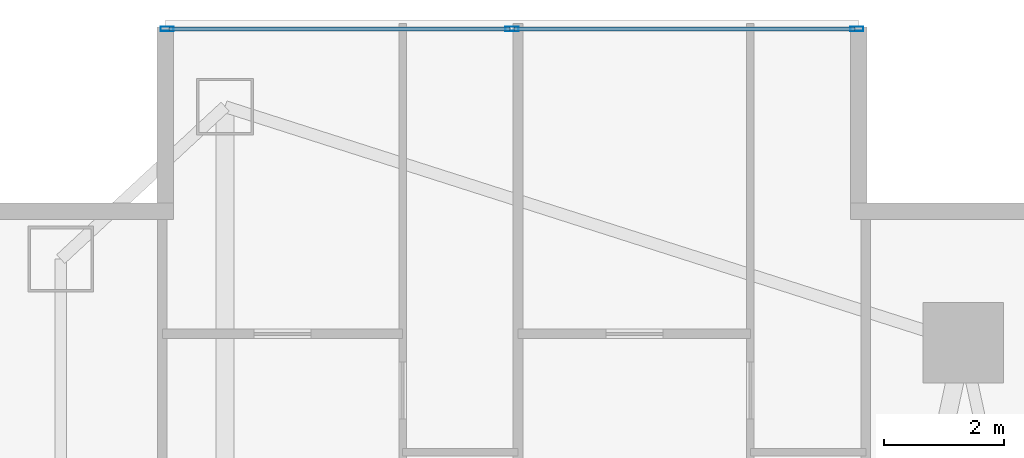
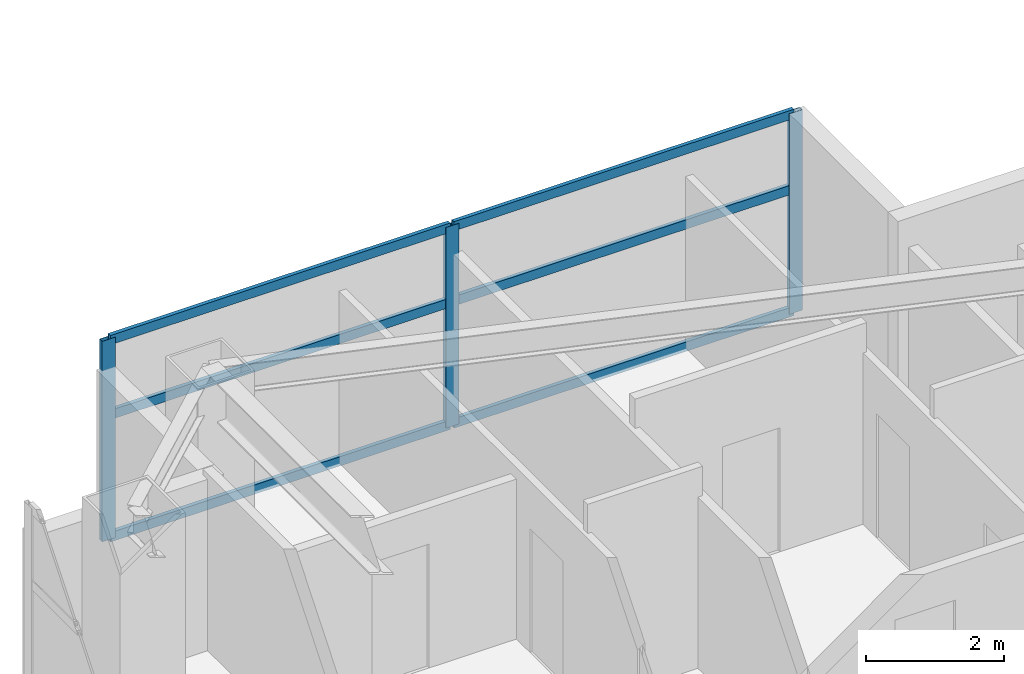
# One storey, part 19 of 29: 9 members, 1 element without a shape of its own.
"""IFC4 building model written with IfcOpenShell, lengths in metres."""

from ifc_helpers import new_model, si_unit, direction, frame, origin, origin_2d, place, context, subcontext, project, spatial, hollow_rectangle, extrude, material, layer, layer_set, material_profile, profile_set, type_object, element, aggregate, save


model = new_model("IFC4")

# Units and contexts
model_context = context("Model", 3, precision=1e-05, world=origin(), true_north=direction((0.0, 1.0)))
body_context = subcontext(model_context, "Body", "Model", "MODEL_VIEW")
ifc_project = project(units=[si_unit("LENGTHUNIT", "METRE"), si_unit("AREAUNIT", "SQUARE_METRE"), si_unit("VOLUMEUNIT", "CUBIC_METRE"), si_unit("PLANEANGLEUNIT", "RADIAN"), si_unit("MASSUNIT", "GRAM", prefix="KILO")], contexts=[model_context])

# Site, building, storey
site_placement = place(None, origin())
site = spatial("IfcSite", under=ifc_project, at=site_placement, CompositionType="ELEMENT")
building_placement = place(site_placement, origin())
building = spatial("IfcBuilding", under=site, at=building_placement, Name="Calvorn Quay Hotel", CompositionType="ELEMENT")
storey_placement = place(building_placement, frame((0.0, 0.0, 58.39990234375)))
storey = spatial("IfcBuildingStorey", under=building, at=storey_placement, Name="L13", CompositionType="ELEMENT", Elevation=58.39990234375)

# Curtain wall, members
ifc_material_1 = material(Name="Pale Anodised Aluminium and Low-E Glass", Category="aluminium")
ifc_layer = layer(ifc_material_1, 0.219970703125)
ifc_layer_set = layer_set([ifc_layer], Name="CW-SYS-Z1")
curtain_wall_type = type_object("IfcCurtainWallType", Name="CW-SYS-Z1", PredefinedType="NOTDEFINED", material=ifc_layer_set)
curtain_wall_placement = place(storey_placement, origin())
curtain_wall = element("IfcCurtainWall", 1, at=curtain_wall_placement, inside=storey, type_object=curtain_wall_type, Name="Inner Court Curtain Wall L13-N1", PredefinedType="NOTDEFINED")
ifc_material_2 = material(Name="Pale Anodised Aluminium 6063-T6", Category="aluminium")
ifc_material_profile_1 = material_profile(ifc_material_2, hollow_rectangle(XDim=0.074951171875, YDim=0.219970703125, WallThickness=0.00439453125, at=origin_2d()), Name="ALU-M220x75x4.5")
ifc_profile_set_1 = profile_set([ifc_material_profile_1], Name="Pale Anodised Aluminium 6063-T6")
member_type_1 = type_object("IfcMemberType", Name="CW-SYS-Z1-MUL", PredefinedType="MULLION", material=ifc_profile_set_1)
member_1_placement = place(storey_placement, frame((14.77001953125, 50.85009765625, 0.0), z_axis=(0.0, 0.0, 1.0), x_axis=(0.0, -1.0, 0.0)))
member_1 = element("IfcMember", 2, at=member_1_placement, type_object=member_type_1, Name="CW-L13-N1 mullion 1", PredefinedType="MULLION", context=body_context, shape_type="SweptSolid", body=[
    extrude(hollow_rectangle(XDim=0.074951171875, YDim=0.219970703125, WallThickness=0.00439453125, at=origin_2d()), origin(), (0.0, 0.0, 1.0), 3.56005859375),
])
member_2_placement = place(storey_placement, frame((9.0, 50.85009765625, 0.0), z_axis=(0.0, 0.0, 1.0), x_axis=(0.0, -1.0, 0.0)))
member_2 = element("IfcMember", 3, at=member_2_placement, type_object=member_type_1, Name="CW-L13-N1 mullion 2", PredefinedType="MULLION", context=body_context, shape_type="SweptSolid", body=[
    extrude(hollow_rectangle(XDim=0.074951171875, YDim=0.219970703125, WallThickness=0.00439453125, at=origin_2d()), origin(), (0.0, 0.0, 1.0), 3.56005859375),
])
member_3_placement = place(storey_placement, frame((3.22998046875, 50.85009765625, 0.0), z_axis=(0.0, 0.0, 1.0), x_axis=(0.0, -1.0, 0.0)))
member_3 = element("IfcMember", 4, at=member_3_placement, type_object=member_type_1, Name="CW-L13-N1 mullion 3", PredefinedType="MULLION", context=body_context, shape_type="SweptSolid", body=[
    extrude(hollow_rectangle(XDim=0.074951171875, YDim=0.219970703125, WallThickness=0.00439453125, at=origin_2d()), origin(), (0.0, 0.0, 1.0), 3.56005859375),
])
ifc_material_3 = material(Name="Pale Anodised Aluminium 6063-T6", Category="aluminium")
ifc_material_profile_2 = material_profile(ifc_material_3, hollow_rectangle(XDim=0.06494140625, YDim=0.1650390625, WallThickness=0.00341796875, at=origin_2d()), Name="ALU-T165x65x3.5")
ifc_profile_set_2 = profile_set([ifc_material_profile_2], Name="Pale Anodised Aluminium 6063-T6")
member_type_2 = type_object("IfcMemberType", Name="CW-SYS-Z1-TRN", PredefinedType="USERDEFINED", material=ifc_profile_set_2)
member_4_placement = place(storey_placement, frame((14.739990234375, 50.85009765625, 0.030029296875), z_axis=(-1.0, 0.0, 0.0), x_axis=(0.0, -1.0, 0.0)))
member_4 = element("IfcMember", 5, at=member_4_placement, type_object=member_type_2, Name="CW-L13-N1 transom 1.1", ObjectType="TRANSOM", PredefinedType="USERDEFINED", context=body_context, shape_type="SweptSolid", body=[
    extrude(hollow_rectangle(XDim=0.06494140625, YDim=0.1650390625, WallThickness=0.00341796875, at=origin_2d()), origin(), (0.0, 0.0, 1.0), 5.7099609375),
])
member_5_placement = place(storey_placement, frame((14.739990234375, 50.85009765625, 2.2001953125), z_axis=(-1.0, 0.0, 0.0), x_axis=(0.0, -1.0, 0.0)))
member_5 = element("IfcMember", 6, at=member_5_placement, type_object=member_type_2, Name="CW-L13-N1 transom 1.2", ObjectType="TRANSOM", PredefinedType="USERDEFINED", context=body_context, shape_type="SweptSolid", body=[
    extrude(hollow_rectangle(XDim=0.06494140625, YDim=0.1650390625, WallThickness=0.00341796875, at=origin_2d()), origin(), (0.0, 0.0, 1.0), 5.7099609375),
])
member_6_placement = place(storey_placement, frame((14.739990234375, 50.85009765625, 3.530029296875), z_axis=(-1.0, 0.0, 0.0), x_axis=(0.0, -1.0, 0.0)))
member_6 = element("IfcMember", 7, at=member_6_placement, type_object=member_type_2, Name="CW-L13-N1 transom 1.3", ObjectType="TRANSOM", PredefinedType="USERDEFINED", context=body_context, shape_type="SweptSolid", body=[
    extrude(hollow_rectangle(XDim=0.06494140625, YDim=0.1650390625, WallThickness=0.00341796875, at=origin_2d()), origin(), (0.0, 0.0, 1.0), 5.7099609375),
])
member_7_placement = place(storey_placement, frame((8.969970703125, 50.85009765625, 0.030029296875), z_axis=(-1.0, 0.0, 0.0), x_axis=(0.0, -1.0, 0.0)))
member_7 = element("IfcMember", 8, at=member_7_placement, type_object=member_type_2, Name="CW-L13-N1 transom 2.1", ObjectType="TRANSOM", PredefinedType="USERDEFINED", context=body_context, shape_type="SweptSolid", body=[
    extrude(hollow_rectangle(XDim=0.06494140625, YDim=0.1650390625, WallThickness=0.00341796875, at=origin_2d()), origin(), (0.0, 0.0, 1.0), 5.7099609375),
])
member_8_placement = place(storey_placement, frame((8.969970703125, 50.85009765625, 2.2001953125), z_axis=(-1.0, 0.0, 0.0), x_axis=(0.0, -1.0, 0.0)))
member_8 = element("IfcMember", 9, at=member_8_placement, type_object=member_type_2, Name="CW-L13-N1 transom 2.2", ObjectType="TRANSOM", PredefinedType="USERDEFINED", context=body_context, shape_type="SweptSolid", body=[
    extrude(hollow_rectangle(XDim=0.06494140625, YDim=0.1650390625, WallThickness=0.00341796875, at=origin_2d()), origin(), (0.0, 0.0, 1.0), 5.7099609375),
])
member_9_placement = place(storey_placement, frame((8.969970703125, 50.85009765625, 3.530029296875), z_axis=(-1.0, 0.0, 0.0), x_axis=(0.0, -1.0, 0.0)))
member_9 = element("IfcMember", 10, at=member_9_placement, type_object=member_type_2, Name="CW-L13-N1 transom 2.3", ObjectType="TRANSOM", PredefinedType="USERDEFINED", context=body_context, shape_type="SweptSolid", body=[
    extrude(hollow_rectangle(XDim=0.06494140625, YDim=0.1650390625, WallThickness=0.00341796875, at=origin_2d()), origin(), (0.0, 0.0, 1.0), 5.7099609375),
])
aggregate(curtain_wall, [member_1, member_2, member_3, member_4, member_5, member_6, member_7, member_8, member_9])

save(model, "model.ifc")
